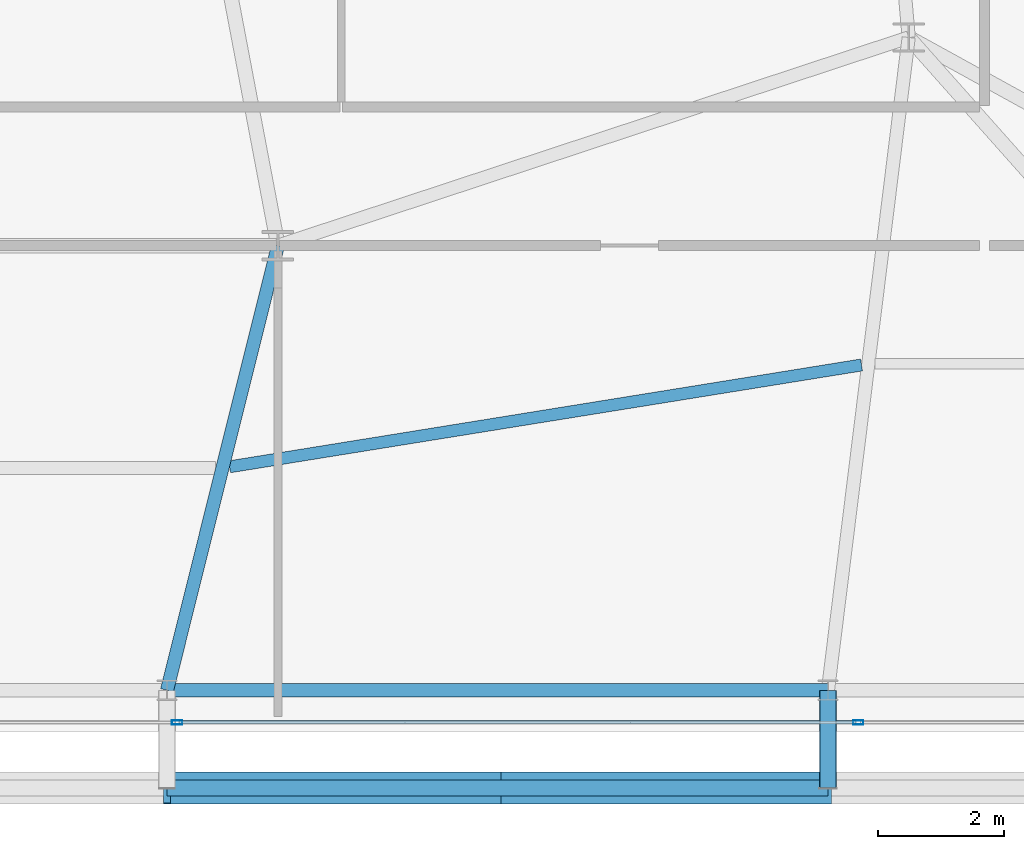
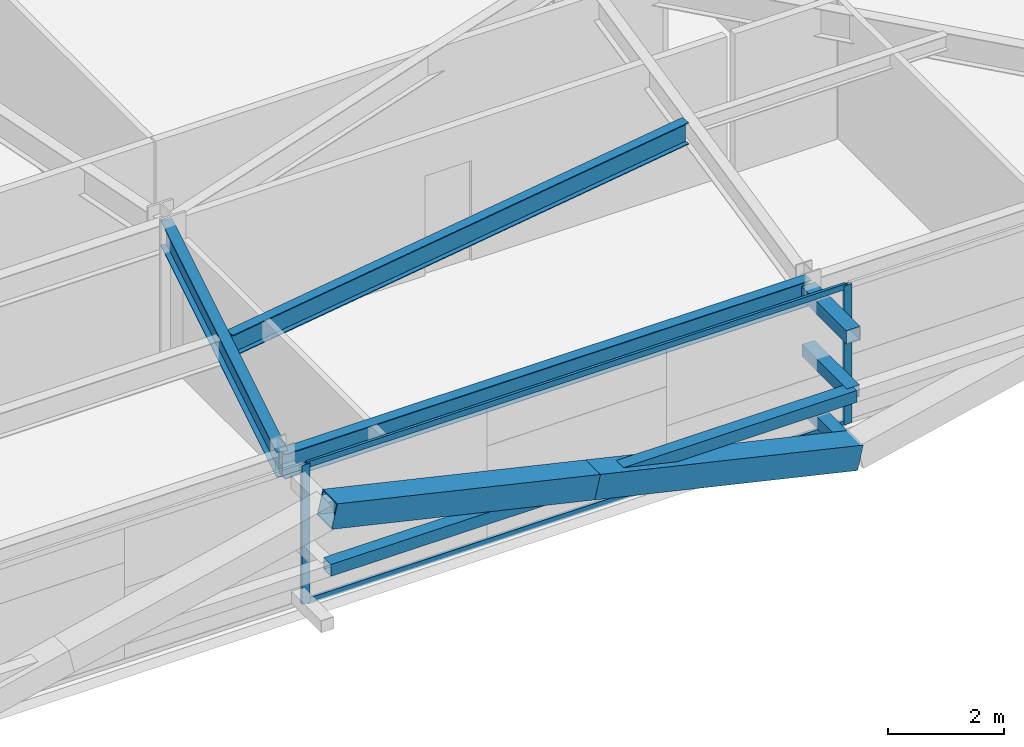
# One storey, part 13 of 44: 10 members, 3 beams, 1 element without a shape of its own.
"""IFC4 building model written with IfcOpenShell, lengths in metres."""

from ifc_helpers import new_model, si_unit, direction, frame, origin, origin_2d, place, context, subcontext, project, spatial, hollow_rectangle, i_section, extrude, source, transform, mapped, material, layer, layer_set, material_profile, profile_set, type_object, element, aggregate, save


model = new_model("IFC4")

# Units and contexts
model_context = context("Model", 3, precision=1e-05, world=origin(), true_north=direction((0.0, 1.0)))
body_context = subcontext(model_context, "Body", "Model", "MODEL_VIEW")
ifc_project = project(units=[si_unit("LENGTHUNIT", "METRE"), si_unit("AREAUNIT", "SQUARE_METRE"), si_unit("VOLUMEUNIT", "CUBIC_METRE"), si_unit("PLANEANGLEUNIT", "RADIAN"), si_unit("MASSUNIT", "GRAM", prefix="KILO")], contexts=[model_context])

# Site, building, storey
site_placement = place(None, origin())
site = spatial("IfcSite", under=ifc_project, at=site_placement, CompositionType="ELEMENT")
building_placement = place(site_placement, origin())
building = spatial("IfcBuilding", under=site, at=building_placement, Name="Taldren Reach Tower", CompositionType="ELEMENT")
storey_placement = place(building_placement, frame((0.0, 0.0, 42.0)))
storey = spatial("IfcBuildingStorey", under=building, at=storey_placement, Name="L12", CompositionType="ELEMENT", Elevation=42.0)

# Beams
ifc_material_1 = material(Name="Steel Gr 350 (350PLUS)", Category="steel")
ifc_material_profile_1 = material_profile(ifc_material_1, i_section(OverallWidth=0.208984375, OverallDepth=0.528076171875, WebThickness=0.009521484375, FlangeThickness=0.01318359375, at=origin_2d()), Name="530UB82.0")
ifc_profile_set_1 = profile_set([ifc_material_profile_1], Name="Steel Gr 350 (350PLUS)")
beam_type_1 = type_object("IfcBeamType", Name="SP-UB530B", PredefinedType="SPANDREL", material=ifc_profile_set_1)
shared_shape_1 = source(origin(), body_context, "Body", "SweptSolid", [
    extrude(i_section(OverallWidth=0.208984375, OverallDepth=0.528076171875, WebThickness=0.009521484375, FlangeThickness=0.01318359375, at=origin_2d()), origin(), (0.0, 0.0, 1.0), 10.47998046875),
])
beam_1_placement = place(storey_placement, frame((40.239990234375, 2.14990234375, 2.666015625), z_axis=(1.0, 0.0, 0.0), x_axis=(0.0, 1.0, 0.0)))
element("IfcBeam", 1, at=beam_1_placement, inside=storey, type_object=beam_type_1, Name="Perimeter spandrel B1 S4-S5 L12", PredefinedType="SPANDREL", context=body_context, shape_type="MappedRepresentation", body=[
    mapped(shared_shape_1, transform((0.0, 0.0, 0.0), scale=1.0)),
])
ifc_material_profile_2 = material_profile(ifc_material_1, i_section(OverallWidth=0.208984375, OverallDepth=0.532958984375, WebThickness=0.01025390625, FlangeThickness=0.015625, at=origin_2d()), Name="530UB92.4")
ifc_profile_set_2 = profile_set([ifc_material_profile_2], Name="Steel Gr 350 (350PLUS)")
beam_type_2 = type_object("IfcBeamType", Name="BM-UB530A", PredefinedType="BEAM", material=ifc_profile_set_2)
shared_shape_2 = source(origin(), body_context, "Body", "SweptSolid", [
    extrude(i_section(OverallWidth=0.208984375, OverallDepth=0.532958984375, WebThickness=0.01025390625, FlangeThickness=0.015625, at=origin_2d()), origin(), (0.0, 0.0, 1.0), 7.266357421875),
])
beam_2_placement = place(storey_placement, frame((42.0, 9.199951171875, 2.66357421875), z_axis=(-0.24221148493, -0.970223477642, 0.0), x_axis=(0.970223477642, -0.24221148493, 0.0)))
element("IfcBeam", 2, at=beam_2_placement, inside=storey, type_object=beam_type_2, Name="Primary floor girder B1-S4 L12", PredefinedType="BEAM", context=body_context, shape_type="MappedRepresentation", body=[
    mapped(shared_shape_2, transform((0.0, 0.0, 0.0), scale=1.0)),
])
ifc_material_profile_3 = material_profile(ifc_material_1, i_section(OverallWidth=0.19091796875, OverallDepth=0.4599609375, WebThickness=0.010009765625, FlangeThickness=0.01611328125, at=origin_2d()), Name="460UB82.1")
ifc_profile_set_3 = profile_set([ifc_material_profile_3], Name="Steel Gr 350 (350PLUS)")
beam_type_3 = type_object("IfcBeamType", Name="BM-UB460A", PredefinedType="BEAM", material=ifc_profile_set_3)
shared_shape_3 = source(origin(), body_context, "Body", "SweptSolid", [
    extrude(i_section(OverallWidth=0.19091796875, OverallDepth=0.4599609375, WebThickness=0.010009765625, FlangeThickness=0.01611328125, at=origin_2d()), origin(), (0.0, 0.0, 1.0), 10.1494140625),
])
beam_3_placement = place(storey_placement, frame((41.232177734375, 5.693115234375, 2.699951171875), z_axis=(0.987266967452, 0.159072106224, 0.0), x_axis=(-0.159072106224, 0.987266967452, 0.0)))
element("IfcBeam", 3, at=beam_3_placement, inside=storey, type_object=beam_type_3, Name="Secondary floor beam B1 J4 L12", PredefinedType="BEAM", context=body_context, shape_type="MappedRepresentation", body=[
    mapped(shared_shape_3, transform((0.0, 0.0, 0.0), scale=1.0)),
])

# Members
ifc_material_2 = material(Name="Steel Gr 450 (C450L0)", Category="steel")
ifc_material_profile_4 = material_profile(ifc_material_2, hollow_rectangle(XDim=0.27490234375, YDim=0.27490234375, WallThickness=0.00927734375, at=origin_2d()), Name="275x275x9.3SHS")
ifc_profile_set_4 = profile_set([ifc_material_profile_4], Name="Steel Gr 450 (C450L0)")
member_type_1 = type_object("IfcMemberType", Name="MB-TIE273", PredefinedType="STRUT", material=ifc_profile_set_4)
shared_shape_4 = source(origin(), body_context, "Body", "SweptSolid", [
    extrude(hollow_rectangle(XDim=0.27490234375, YDim=0.27490234375, WallThickness=0.00927734375, at=origin_2d()), origin(), (0.0, 0.0, 1.0), 1.5498046875),
])
member_1_placement = place(storey_placement, frame((50.719970703125, 2.14990234375, 2.64990234375), z_axis=(0.0, -1.0, 0.0), x_axis=(1.0, 0.0, 0.0)))
element("IfcMember", 4, at=member_1_placement, inside=storey, type_object=member_type_1, Name="Exoskeleton diaphragm tie strut B1-S5 L12", PredefinedType="STRUT", context=body_context, shape_type="MappedRepresentation", body=[
    mapped(shared_shape_4, transform((0.0, 0.0, 0.0), scale=1.0)),
])
ifc_material_profile_5 = material_profile(ifc_material_2, hollow_rectangle(XDim=0.510009765625, YDim=0.510009765625, WallThickness=0.02001953125, at=origin_2d()), Name="510x510x20.0SHS")
ifc_profile_set_5 = profile_set([ifc_material_profile_5], Name="Steel Gr 450 (C450L0)")
member_type_2 = type_object("IfcMemberType", Name="MB-EXO508", PredefinedType="BRACE", material=ifc_profile_set_5)
shared_shape_5 = source(origin(), body_context, "Body", "SweptSolid", [
    extrude(hollow_rectangle(XDim=0.510009765625, YDim=0.510009765625, WallThickness=0.02001953125, at=origin_2d()), origin(), (0.0, 0.0, 1.0), 5.37890625),
])
for number, where, z_axis, x_axis, name in (
    (5, (50.719970703125, 0.60009765625, 0.219970703125), (-0.97415197996, 0.0, 0.225893603143), (0.0, -1.0, 0.0), "Exoskeleton Diagrid Brace B1-S4 L12"),
    (6, (45.47998046875, 0.60009765625, 1.43505859375), (-0.974161966843, 0.0, 0.225850531007), (0.0, -1.0, 0.0), "Exoskeleton Diagrid Brace B1-S4 L12"),
):
    element("IfcMember", number, at=place(storey_placement, frame(where, z_axis=z_axis, x_axis=x_axis)), inside=storey, type_object=member_type_2, Name=name, PredefinedType="BRACE", context=body_context, shape_type="MappedRepresentation", body=[
        mapped(shared_shape_5, transform((0.0, 0.0, 0.0), scale=1.0)),
    ])
ifc_material_3 = material(Name="Steel Gr 350 (C350L0)", Category="steel")
ifc_material_profile_6 = material_profile(ifc_material_3, hollow_rectangle(XDim=0.25, YDim=0.25, WallThickness=0.010009765625, at=origin_2d()), Name="250x250x10.0SHS")
ifc_profile_set_6 = profile_set([ifc_material_profile_6], Name="Steel Gr 350 (C350L0)")
member_type_3 = type_object("IfcMemberType", Name="MB-POST250", PredefinedType="POST", material=ifc_profile_set_6)
shared_shape_6 = source(origin(), body_context, "Body", "SweptSolid", [
    extrude(hollow_rectangle(XDim=0.25, YDim=0.25, WallThickness=0.010009765625, at=origin_2d()), origin(), (0.0, 0.0, 1.0), 10.47998046875),
])
member_2_placement = place(storey_placement, frame((40.239990234375, 0.60009765625, 1.43505859375), z_axis=(1.0, 0.0, 0.0), x_axis=(0.0, 1.0, 0.0)))
element("IfcMember", 7, at=member_2_placement, inside=storey, type_object=member_type_3, Name="Exoskeleton mid-height ring chord B1-S4 L12", PredefinedType="POST", context=body_context, shape_type="MappedRepresentation", body=[
    mapped(shared_shape_6, transform((0.0, 0.0, 0.0), scale=1.0)),
])
shared_shape_7 = source(origin(), body_context, "Body", "SweptSolid", [
    extrude(hollow_rectangle(XDim=0.25, YDim=0.25, WallThickness=0.010009765625, at=origin_2d()), origin(), (0.0, 0.0, 1.0), 1.5498046875),
])
for number, where, z_axis, x_axis, name in (
    (8, (50.719970703125, 2.14990234375, 0.219970703125), (0.0, -1.0, 0.0), (1.0, 0.0, 0.0), "Exoskeleton base diaphragm tie strut B1-S5 L12"),
    (9, (50.719970703125, 2.14990234375, 1.43505859375), (0.0, -1.0, 0.0), (1.0, 0.0, 0.0), "Exoskeleton mid-tier diaphragm tie B1-S5 L12"),
):
    element("IfcMember", number, at=place(storey_placement, frame(where, z_axis=z_axis, x_axis=x_axis)), inside=storey, type_object=member_type_3, Name=name, PredefinedType="POST", context=body_context, shape_type="MappedRepresentation", body=[
        mapped(shared_shape_7, transform((0.0, 0.0, 0.0), scale=1.0)),
    ])

# Curtain wall, members
ifc_material_4 = material(Name="Aluminium and Low-E Glass Unitised System", Category="aluminium")
ifc_layer = layer(ifc_material_4, 0.159912109375)
ifc_layer_set = layer_set([ifc_layer], Name="Aluminium and Low-E Glass Unitised System")
curtain_wall_type = type_object("IfcCurtainWallType", Name="CW-SYS-2", PredefinedType="NOTDEFINED", material=ifc_layer_set)
curtain_wall_placement = place(storey_placement, origin())
curtain_wall = element("IfcCurtainWall", 10, at=curtain_wall_placement, inside=storey, type_object=curtain_wall_type, Name="Unitised curtain wall CW-L12-S", PredefinedType="NOTDEFINED")
ifc_material_5 = material(Name="Anodised Aluminium 6063-T6", Category="aluminium")
ifc_material_profile_7 = material_profile(ifc_material_5, hollow_rectangle(XDim=0.06494140625, YDim=0.1650390625, WallThickness=0.00390625, at=origin_2d()), Name="ALU-165x65x4RHS")
ifc_profile_set_7 = profile_set([ifc_material_profile_7], Name="Anodised Aluminium 6063-T6")
member_type_4 = type_object("IfcMemberType", Name="CW-MUL-165", PredefinedType="MULLION", material=ifc_profile_set_7)
shared_shape_8 = source(origin(), body_context, "Body", "SweptSolid", [
    extrude(hollow_rectangle(XDim=0.06494140625, YDim=0.1650390625, WallThickness=0.00390625, at=origin_2d()), origin(), (0.0, 0.0, 1.0), 2.929931640625),
])
member_3_placement = place(storey_placement, frame((40.39990234375, 1.639892578125, 0.0), z_axis=(0.0, 0.0, 1.0), x_axis=(0.0, 1.0, 0.0)))
member_3 = element("IfcMember", 11, at=member_3_placement, type_object=member_type_4, Name="CW-2 mullion 4", PredefinedType="MULLION", context=body_context, shape_type="MappedRepresentation", body=[
    mapped(shared_shape_8, transform((0.0, 0.0, 0.0), scale=1.0)),
])
member_4_placement = place(storey_placement, frame((51.199951171875, 1.639892578125, 0.0), z_axis=(0.0, 0.0, 1.0), x_axis=(0.0, 1.0, 0.0)))
member_4 = element("IfcMember", 12, at=member_4_placement, type_object=member_type_4, Name="CW-2 mullion 5", PredefinedType="MULLION", context=body_context, shape_type="MappedRepresentation", body=[
    mapped(shared_shape_8, transform((0.0, 0.0, 0.0), scale=1.0)),
])
ifc_material_profile_8 = material_profile(ifc_material_5, hollow_rectangle(XDim=0.054931640625, YDim=0.1201171875, WallThickness=0.0029296875, at=origin_2d()), Name="ALU-120x55x3RHS")
ifc_profile_set_8 = profile_set([ifc_material_profile_8], Name="Anodised Aluminium 6063-T6")
member_type_5 = type_object("IfcMemberType", Name="CW-TRN-135", PredefinedType="USERDEFINED", material=ifc_profile_set_8)
shared_shape_9 = source(origin(), body_context, "Body", "SweptSolid", [
    extrude(hollow_rectangle(XDim=0.054931640625, YDim=0.1201171875, WallThickness=0.0029296875, at=origin_2d()), origin(), (0.0, 0.0, 1.0), 10.73486328125),
])
member_5_placement = place(storey_placement, frame((40.4326171875, 1.639892578125, 0.027587890625), z_axis=(1.0, 0.0, 0.0), x_axis=(0.0, 1.0, 0.0)))
member_5 = element("IfcMember", 13, at=member_5_placement, type_object=member_type_5, Name="CW-2 transom 4.1", ObjectType="TRANSOM", PredefinedType="USERDEFINED", context=body_context, shape_type="MappedRepresentation", body=[
    mapped(shared_shape_9, transform((0.0, 0.0, 0.0), scale=1.0)),
])
member_6_placement = place(storey_placement, frame((40.4326171875, 1.639892578125, 2.902587890625), z_axis=(1.0, 0.0, 0.0), x_axis=(0.0, 1.0, 0.0)))
member_6 = element("IfcMember", 14, at=member_6_placement, type_object=member_type_5, Name="CW-2 transom 4.2", ObjectType="TRANSOM", PredefinedType="USERDEFINED", context=body_context, shape_type="MappedRepresentation", body=[
    mapped(shared_shape_9, transform((0.0, 0.0, 0.0), scale=1.0)),
])
aggregate(curtain_wall, [member_3, member_4, member_5, member_6])

save(model, "model.ifc")
